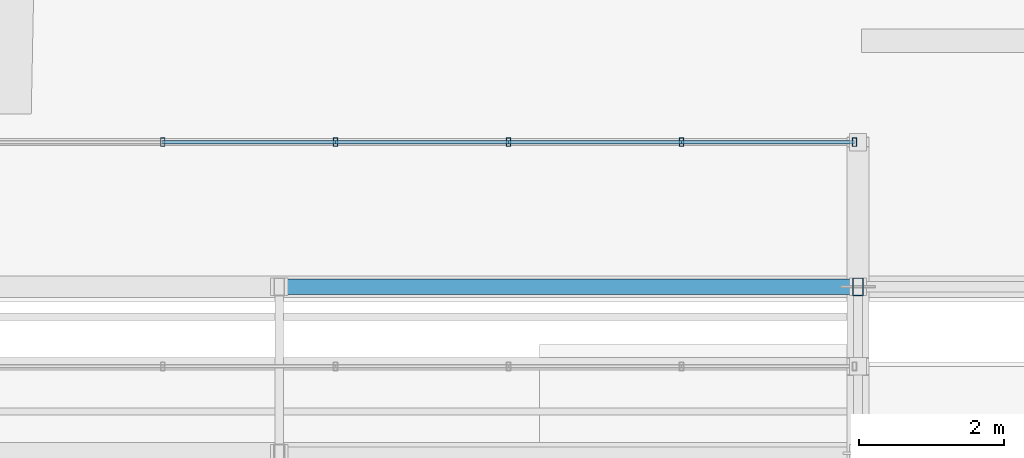
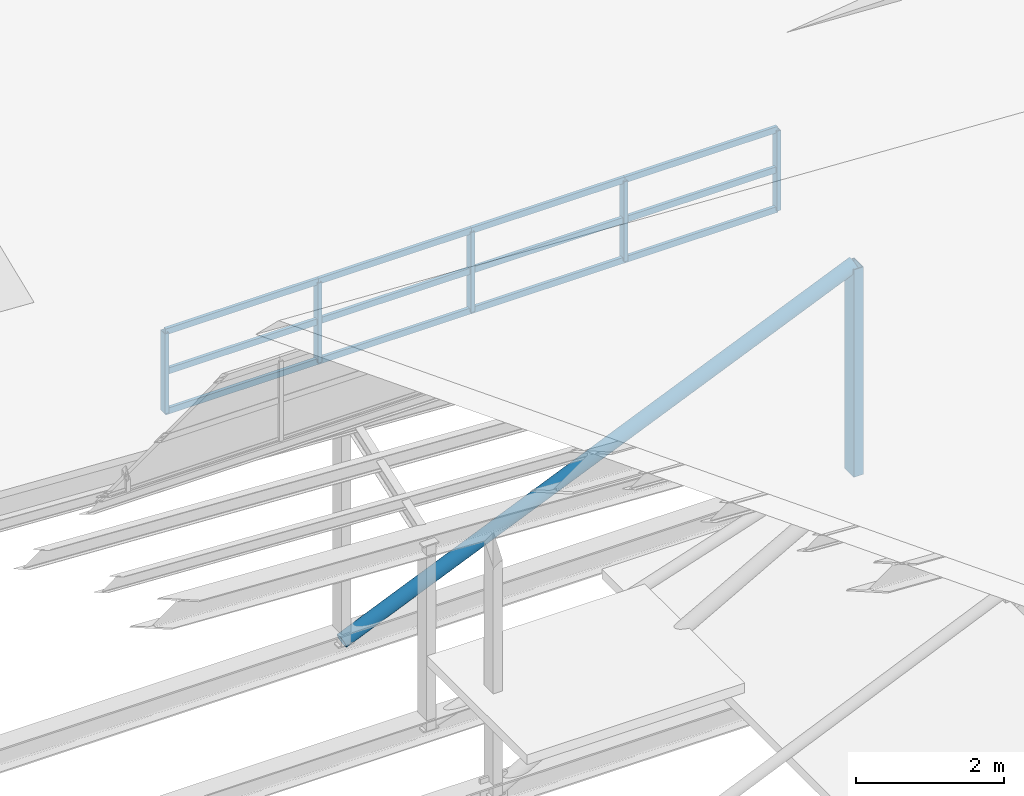
# One storey, part 125 of 141: 19 members, 1 element without a shape of its own.
"""IFC4 building model written with IfcOpenShell, lengths in metres."""

from ifc_helpers import new_model, si_unit, direction, frame, origin, origin_2d, place, context, subcontext, project, spatial, hollow_rectangle, hollow_circle, extrude, material, material_profile, profile_set, type_object, element, aggregate, save


model = new_model("IFC4")

# Units and contexts
model_context = context("Model", 3, precision=1e-05, world=origin(), true_north=direction((0.0, 1.0)))
body_context = subcontext(model_context, "Body", "Model", "MODEL_VIEW")
ifc_project = project(units=[si_unit("LENGTHUNIT", "METRE"), si_unit("AREAUNIT", "SQUARE_METRE"), si_unit("VOLUMEUNIT", "CUBIC_METRE"), si_unit("PLANEANGLEUNIT", "RADIAN"), si_unit("MASSUNIT", "GRAM", prefix="KILO")], contexts=[model_context])

# Site, building, storey
site_placement = place(None, origin())
site = spatial("IfcSite", under=ifc_project, at=site_placement, CompositionType="ELEMENT")
building_placement = place(site_placement, origin())
building = spatial("IfcBuilding", under=site, at=building_placement, Name="Sundkrona Museum", CompositionType="ELEMENT")
storey_placement = place(building_placement, frame((0.0, 0.0, 34.0)))
storey = spatial("IfcBuildingStorey", under=building, at=storey_placement, Name="RF", CompositionType="ELEMENT", Elevation=34.0)

# Curtain wall, members
ifc_material_1 = material(Name="Unitised Aluminium-Steel and Ceramic-Clad Curtain Walling", Category="steel")
curtain_wall_type = type_object("IfcCurtainWallType", Name="CW-SW-240x13", PredefinedType="NOTDEFINED", material=ifc_material_1)
curtain_wall_placement = place(storey_placement, origin())
curtain_wall = element("IfcCurtainWall", 1, at=curtain_wall_placement, inside=storey, type_object=curtain_wall_type, Name="Sawtooth Bay 7 East North-Light Clerestory", PredefinedType="NOTDEFINED")
ifc_material_2 = material(Name="Aluminium EN AW-6060 T66", Category="aluminium")
ifc_material_profile_1 = material_profile(ifc_material_2, hollow_rectangle(XDim=0.06005859375, YDim=0.1201171875, WallThickness=0.0048828125, at=origin_2d()), Name="RHS 120x60x5.0")
ifc_profile_set_1 = profile_set([ifc_material_profile_1], Name="Aluminium EN AW-6060 T66")
member_type_1 = type_object("IfcMemberType", Name="ML-120", PredefinedType="MULLION", material=ifc_profile_set_1)
member_1_placement = place(storey_placement, frame((158.389892578125, 45.800048828125, 2.89306640625), z_axis=(0.0, 0.0, 1.0), x_axis=(1.0, 0.0, 0.0)))
member_1 = element("IfcMember", 2, at=member_1_placement, type_object=member_type_1, Name="CW-RF-SAW-07E Mullion 07", PredefinedType="MULLION", context=body_context, shape_type="SweptSolid", body=[
    extrude(hollow_rectangle(XDim=0.06005859375, YDim=0.1201171875, WallThickness=0.0048828125, at=origin_2d()), origin(), (0.0, 0.0, 1.0), 1.31982421875),
])
member_2_placement = place(storey_placement, frame((160.780029296875, 45.800048828125, 2.89306640625), z_axis=(0.0, 0.0, 1.0), x_axis=(1.0, 0.0, 0.0)))
member_2 = element("IfcMember", 3, at=member_2_placement, type_object=member_type_1, Name="CW-RF-SAW-07E Mullion 08", PredefinedType="MULLION", context=body_context, shape_type="SweptSolid", body=[
    extrude(hollow_rectangle(XDim=0.06005859375, YDim=0.1201171875, WallThickness=0.0048828125, at=origin_2d()), origin(), (0.0, 0.0, 1.0), 1.31982421875),
])
member_3_placement = place(storey_placement, frame((163.169921875, 45.800048828125, 2.89306640625), z_axis=(0.0, 0.0, 1.0), x_axis=(1.0, 0.0, 0.0)))
member_3 = element("IfcMember", 4, at=member_3_placement, type_object=member_type_1, Name="CW-RF-SAW-07E Mullion 09", PredefinedType="MULLION", context=body_context, shape_type="SweptSolid", body=[
    extrude(hollow_rectangle(XDim=0.06005859375, YDim=0.1201171875, WallThickness=0.0048828125, at=origin_2d()), origin(), (0.0, 0.0, 1.0), 1.31982421875),
])
member_4_placement = place(storey_placement, frame((165.56005859375, 45.800048828125, 2.89306640625), z_axis=(0.0, 0.0, 1.0), x_axis=(1.0, 0.0, 0.0)))
member_4 = element("IfcMember", 5, at=member_4_placement, type_object=member_type_1, Name="CW-RF-SAW-07E Mullion 10", PredefinedType="MULLION", context=body_context, shape_type="SweptSolid", body=[
    extrude(hollow_rectangle(XDim=0.06005859375, YDim=0.1201171875, WallThickness=0.0048828125, at=origin_2d()), origin(), (0.0, 0.0, 1.0), 1.31982421875),
])
member_5_placement = place(storey_placement, frame((167.949951171875, 45.800048828125, 2.89306640625), z_axis=(0.0, 0.0, 1.0), x_axis=(1.0, 0.0, 0.0)))
member_5 = element("IfcMember", 6, at=member_5_placement, type_object=member_type_1, Name="CW-RF-SAW-07E Mullion 11", PredefinedType="MULLION", context=body_context, shape_type="SweptSolid", body=[
    extrude(hollow_rectangle(XDim=0.06005859375, YDim=0.1201171875, WallThickness=0.0048828125, at=origin_2d()), origin(), (0.0, 0.0, 1.0), 1.31982421875),
])

# Members
ifc_material_3 = material(Name="Steel S355J2", Category="steel")
ifc_material_profile_2 = material_profile(ifc_material_3, hollow_circle(Radius=0.109619140625, WallThickness=0.010009765625, at=origin_2d()), Name="CHS 219.1x10.0")
ifc_profile_set_2 = profile_set([ifc_material_profile_2], Name="Steel S355J2")
member_type_2 = type_object("IfcMemberType", Name="ST-CHS219", PredefinedType="STRUT", material=ifc_profile_set_2)
member_6_placement = place(storey_placement, frame((160.0, 43.800048828125, -0.25), z_axis=(0.91928137657, 0.0, 0.393601004434), x_axis=(0.0, 1.0, 0.0)))
element("IfcMember", 7, at=member_6_placement, inside=storey, type_object=member_type_2, Name="RFS-1 Sawtooth Truss 7 Web Strut 6", PredefinedType="STRUT", context=body_context, shape_type="SweptSolid", body=[
    extrude(hollow_circle(Radius=0.109619140625, WallThickness=0.010009765625, at=origin_2d()), origin(), (0.0, 0.0, 1.0), 8.702392578125),
])
ifc_material_profile_3 = material_profile(ifc_material_3, hollow_rectangle(XDim=0.14990234375, YDim=0.25, WallThickness=0.010009765625, at=origin_2d()), Name="RHS 250x150x10.0")
ifc_profile_set_3 = profile_set([ifc_material_profile_3], Name="Steel S355J2")
member_type_3 = type_object("IfcMemberType", Name="ST-RHS250", PredefinedType="STRUT", material=ifc_profile_set_3)
member_7_placement = place(storey_placement, frame((168.0, 43.800048828125, -0.25), z_axis=(0.0, 0.0, 1.0), x_axis=(1.0, 0.0, 0.0)))
element("IfcMember", 8, at=member_7_placement, inside=storey, type_object=member_type_3, Name="RFS-1 Sawtooth Truss 7 Vertical Post 7", PredefinedType="STRUT", context=body_context, shape_type="SweptSolid", body=[
    extrude(hollow_rectangle(XDim=0.14990234375, YDim=0.25, WallThickness=0.010009765625, at=origin_2d()), origin(), (0.0, 0.0, 1.0), 3.42529296875),
])

# Member
ifc_material_profile_4 = material_profile(ifc_material_2, hollow_rectangle(XDim=0.050048828125, YDim=0.10009765625, WallThickness=0.0048828125, at=origin_2d()), Name="RHS 100x50x5.0")
ifc_profile_set_4 = profile_set([ifc_material_profile_4], Name="Aluminium EN AW-6060 T66")
member_type_4 = type_object("IfcMemberType", Name="TR-100", PredefinedType="USERDEFINED", material=ifc_profile_set_4)
member_8_placement = place(storey_placement, frame((158.389892578125, 45.800048828125, 2.89306640625), z_axis=(1.0, 0.0, 0.0), x_axis=(0.0, 1.0, 0.0)))
member_8 = element("IfcMember", 9, at=member_8_placement, type_object=member_type_4, Name="CW-RF-SAW-07E Transom 19", ObjectType="TRANSOM", PredefinedType="USERDEFINED", context=body_context, shape_type="SweptSolid", body=[
    extrude(hollow_rectangle(XDim=0.050048828125, YDim=0.10009765625, WallThickness=0.0048828125, at=origin_2d()), origin(), (0.0, 0.0, 1.0), 2.39013671875),
])

member_9_placement = place(storey_placement, frame((158.389892578125, 45.800048828125, 3.552978515625), z_axis=(1.0, 0.0, 0.0), x_axis=(0.0, 1.0, 0.0)))
member_9 = element("IfcMember", 10, at=member_9_placement, type_object=member_type_4, Name="CW-RF-SAW-07E Transom 20", ObjectType="TRANSOM", PredefinedType="USERDEFINED", context=body_context, shape_type="SweptSolid", body=[
    extrude(hollow_rectangle(XDim=0.050048828125, YDim=0.10009765625, WallThickness=0.0048828125, at=origin_2d()), origin(), (0.0, 0.0, 1.0), 2.39013671875),
])

member_10_placement = place(storey_placement, frame((158.389892578125, 45.800048828125, 4.212890625), z_axis=(1.0, 0.0, 0.0), x_axis=(0.0, 1.0, 0.0)))
member_10 = element("IfcMember", 11, at=member_10_placement, type_object=member_type_4, Name="CW-RF-SAW-07E Transom 21", ObjectType="TRANSOM", PredefinedType="USERDEFINED", context=body_context, shape_type="SweptSolid", body=[
    extrude(hollow_rectangle(XDim=0.050048828125, YDim=0.10009765625, WallThickness=0.0048828125, at=origin_2d()), origin(), (0.0, 0.0, 1.0), 2.39013671875),
])

member_11_placement = place(storey_placement, frame((160.780029296875, 45.800048828125, 2.89306640625), z_axis=(1.0, 0.0, 0.0), x_axis=(0.0, 1.0, 0.0)))
member_11 = element("IfcMember", 12, at=member_11_placement, type_object=member_type_4, Name="CW-RF-SAW-07E Transom 22", ObjectType="TRANSOM", PredefinedType="USERDEFINED", context=body_context, shape_type="SweptSolid", body=[
    extrude(hollow_rectangle(XDim=0.050048828125, YDim=0.10009765625, WallThickness=0.0048828125, at=origin_2d()), origin(), (0.0, 0.0, 1.0), 2.389892578125),
])

member_12_placement = place(storey_placement, frame((160.780029296875, 45.800048828125, 3.552978515625), z_axis=(1.0, 0.0, 0.0), x_axis=(0.0, 1.0, 0.0)))
member_12 = element("IfcMember", 13, at=member_12_placement, type_object=member_type_4, Name="CW-RF-SAW-07E Transom 23", ObjectType="TRANSOM", PredefinedType="USERDEFINED", context=body_context, shape_type="SweptSolid", body=[
    extrude(hollow_rectangle(XDim=0.050048828125, YDim=0.10009765625, WallThickness=0.0048828125, at=origin_2d()), origin(), (0.0, 0.0, 1.0), 2.389892578125),
])

member_13_placement = place(storey_placement, frame((160.780029296875, 45.800048828125, 4.212890625), z_axis=(1.0, 0.0, 0.0), x_axis=(0.0, 1.0, 0.0)))
member_13 = element("IfcMember", 14, at=member_13_placement, type_object=member_type_4, Name="CW-RF-SAW-07E Transom 24", ObjectType="TRANSOM", PredefinedType="USERDEFINED", context=body_context, shape_type="SweptSolid", body=[
    extrude(hollow_rectangle(XDim=0.050048828125, YDim=0.10009765625, WallThickness=0.0048828125, at=origin_2d()), origin(), (0.0, 0.0, 1.0), 2.389892578125),
])

member_14_placement = place(storey_placement, frame((163.169921875, 45.800048828125, 2.89306640625), z_axis=(1.0, 0.0, 0.0), x_axis=(0.0, 1.0, 0.0)))
member_14 = element("IfcMember", 15, at=member_14_placement, type_object=member_type_4, Name="CW-RF-SAW-07E Transom 25", ObjectType="TRANSOM", PredefinedType="USERDEFINED", context=body_context, shape_type="SweptSolid", body=[
    extrude(hollow_rectangle(XDim=0.050048828125, YDim=0.10009765625, WallThickness=0.0048828125, at=origin_2d()), origin(), (0.0, 0.0, 1.0), 2.39013671875),
])

member_15_placement = place(storey_placement, frame((163.169921875, 45.800048828125, 3.552978515625), z_axis=(1.0, 0.0, 0.0), x_axis=(0.0, 1.0, 0.0)))
member_15 = element("IfcMember", 16, at=member_15_placement, type_object=member_type_4, Name="CW-RF-SAW-07E Transom 26", ObjectType="TRANSOM", PredefinedType="USERDEFINED", context=body_context, shape_type="SweptSolid", body=[
    extrude(hollow_rectangle(XDim=0.050048828125, YDim=0.10009765625, WallThickness=0.0048828125, at=origin_2d()), origin(), (0.0, 0.0, 1.0), 2.39013671875),
])

member_16_placement = place(storey_placement, frame((163.169921875, 45.800048828125, 4.212890625), z_axis=(1.0, 0.0, 0.0), x_axis=(0.0, 1.0, 0.0)))
member_16 = element("IfcMember", 17, at=member_16_placement, type_object=member_type_4, Name="CW-RF-SAW-07E Transom 27", ObjectType="TRANSOM", PredefinedType="USERDEFINED", context=body_context, shape_type="SweptSolid", body=[
    extrude(hollow_rectangle(XDim=0.050048828125, YDim=0.10009765625, WallThickness=0.0048828125, at=origin_2d()), origin(), (0.0, 0.0, 1.0), 2.39013671875),
])

member_17_placement = place(storey_placement, frame((165.56005859375, 45.800048828125, 2.89306640625), z_axis=(1.0, 0.0, 0.0), x_axis=(0.0, 1.0, 0.0)))
member_17 = element("IfcMember", 18, at=member_17_placement, type_object=member_type_4, Name="CW-RF-SAW-07E Transom 28", ObjectType="TRANSOM", PredefinedType="USERDEFINED", context=body_context, shape_type="SweptSolid", body=[
    extrude(hollow_rectangle(XDim=0.050048828125, YDim=0.10009765625, WallThickness=0.0048828125, at=origin_2d()), origin(), (0.0, 0.0, 1.0), 2.389892578125),
])

member_18_placement = place(storey_placement, frame((165.56005859375, 45.800048828125, 3.552978515625), z_axis=(1.0, 0.0, 0.0), x_axis=(0.0, 1.0, 0.0)))
member_18 = element("IfcMember", 19, at=member_18_placement, type_object=member_type_4, Name="CW-RF-SAW-07E Transom 29", ObjectType="TRANSOM", PredefinedType="USERDEFINED", context=body_context, shape_type="SweptSolid", body=[
    extrude(hollow_rectangle(XDim=0.050048828125, YDim=0.10009765625, WallThickness=0.0048828125, at=origin_2d()), origin(), (0.0, 0.0, 1.0), 2.389892578125),
])

member_19_placement = place(storey_placement, frame((165.56005859375, 45.800048828125, 4.212890625), z_axis=(1.0, 0.0, 0.0), x_axis=(0.0, 1.0, 0.0)))
member_19 = element("IfcMember", 20, at=member_19_placement, type_object=member_type_4, Name="CW-RF-SAW-07E Transom 30", ObjectType="TRANSOM", PredefinedType="USERDEFINED", context=body_context, shape_type="SweptSolid", body=[
    extrude(hollow_rectangle(XDim=0.050048828125, YDim=0.10009765625, WallThickness=0.0048828125, at=origin_2d()), origin(), (0.0, 0.0, 1.0), 2.389892578125),
])

aggregate(curtain_wall, [member_1, member_2, member_3, member_4, member_5, member_8, member_9, member_10, member_11, member_12, member_13, member_14, member_15, member_16, member_17, member_18, member_19])

save(model, "model.ifc")
